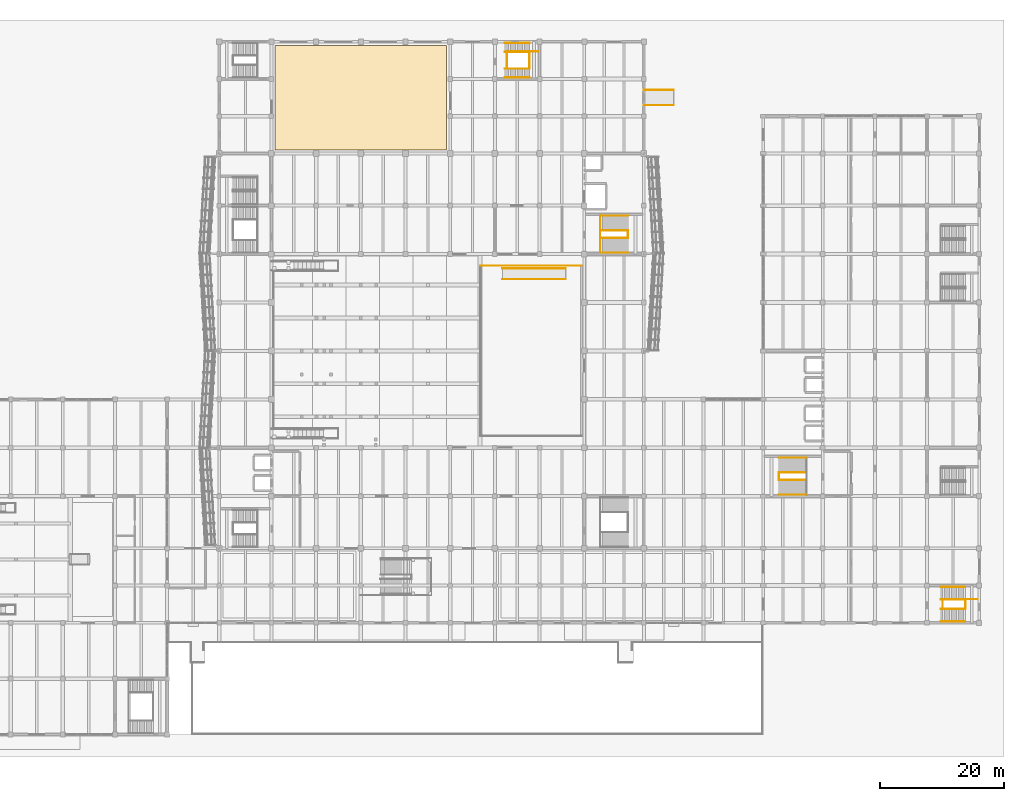
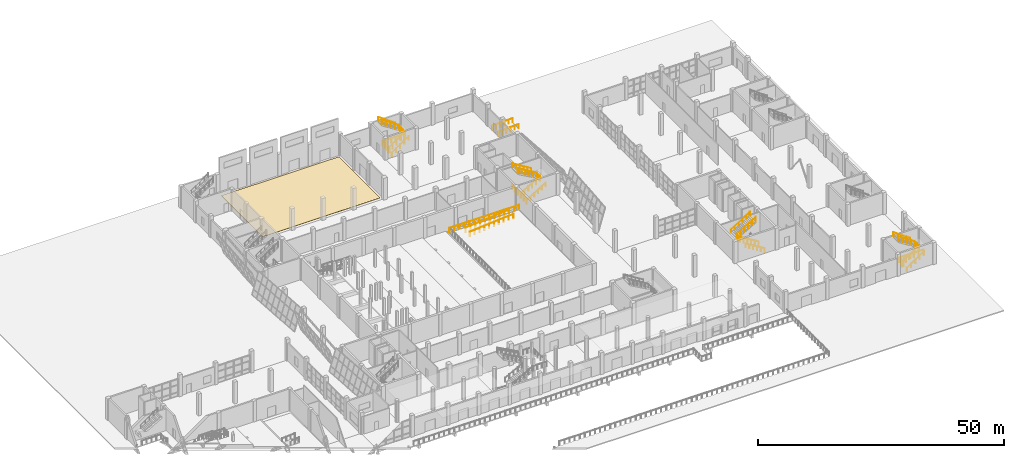
# One storey, part 76 of 78: 20 railings, 1 covering.
"""IFC4 building model written with IfcOpenShell, lengths in metres."""

from ifc_helpers import new_model, si_unit, direction, frame, origin, origin_2d, place, context, subcontext, project, spatial, polyline, circle, outline, extrude, material, layer, layer_set, type_object, element, save


model = new_model("IFC4")

# Units and contexts
model_context = context("Model", 3, precision=1e-05, world=origin(), true_north=direction((0.0, 1.0)))
body_context = subcontext(model_context, "Body", "Model", "MODEL_VIEW")
ifc_project = project(units=[si_unit("LENGTHUNIT", "METRE"), si_unit("AREAUNIT", "SQUARE_METRE"), si_unit("VOLUMEUNIT", "CUBIC_METRE"), si_unit("PLANEANGLEUNIT", "RADIAN"), si_unit("MASSUNIT", "GRAM", prefix="KILO")], contexts=[model_context])

# Site, building, storey
site_placement = place(None, origin())
site = spatial("IfcSite", under=ifc_project, at=site_placement, CompositionType="ELEMENT")
building_placement = place(site_placement, origin())
building = spatial("IfcBuilding", under=site, at=building_placement, Name="Pellamere Symphony Hall", CompositionType="ELEMENT")
storey_placement = place(building_placement, origin())
storey = spatial("IfcBuildingStorey", under=building, at=storey_placement, Name="L00", CompositionType="ELEMENT", Elevation=0.0)

# Railings
ifc_material_1 = material(Name="Architectural Bronze-Anodised Aluminium Balustrade", Category="aluminium")
railing_type_1 = type_object("IfcRailingType", Name="Balustrade BL-02 H1150 Architectural", PredefinedType="BALUSTRADE", material=ifc_material_1)
railing_1_placement = place(storey_placement, frame((92.449951171875, 75.52001953125, 0.85009765625)))
element("IfcRailing", 1, at=railing_1_placement, inside=storey, type_object=railing_type_1, Name="Stage Platform N Edge Balustrade", PredefinedType="BALUSTRADE", context=body_context, shape_type="SweptSolid", body=[
    extrude(circle(Radius=0.02392578125, at=origin_2d()), frame((0.0, 0.0, 1.1259765625), z_axis=(1.0, 0.0, 0.0), x_axis=(0.0, 1.0, 0.0)), (0.0, 0.0, 1.0), 16.300048828125),
    extrude(circle(Radius=0.02099609375, at=origin_2d()), origin(), (0.0, 0.0, 1.0), 1.101806640625),
    extrude(circle(Radius=0.02099609375, at=origin_2d()), frame((1.164306640625, 0.0, 0.0)), (0.0, 0.0, 1.0), 1.101806640625),
    extrude(circle(Radius=0.02099609375, at=origin_2d()), frame((2.32861328125, 0.0, 0.0)), (0.0, 0.0, 1.0), 1.101806640625),
    extrude(circle(Radius=0.02099609375, at=origin_2d()), frame((3.492919921875, 0.0, 0.0)), (0.0, 0.0, 1.0), 1.101806640625),
    extrude(circle(Radius=0.02099609375, at=origin_2d()), frame((4.6572265625, 0.0, 0.0)), (0.0, 0.0, 1.0), 1.101806640625),
    extrude(circle(Radius=0.02099609375, at=origin_2d()), frame((5.821533203125, 0.0, 0.0)), (0.0, 0.0, 1.0), 1.101806640625),
    extrude(circle(Radius=0.02099609375, at=origin_2d()), frame((6.98583984375, 0.0, 0.0)), (0.0, 0.0, 1.0), 1.101806640625),
    extrude(circle(Radius=0.02099609375, at=origin_2d()), frame((8.14990234375, 0.0, 0.0)), (0.0, 0.0, 1.0), 1.101806640625),
    extrude(circle(Radius=0.02099609375, at=origin_2d()), frame((9.314208984375, 0.0, 0.0)), (0.0, 0.0, 1.0), 1.101806640625),
    extrude(circle(Radius=0.02099609375, at=origin_2d()), frame((10.478515625, 0.0, 0.0)), (0.0, 0.0, 1.0), 1.101806640625),
    extrude(circle(Radius=0.02099609375, at=origin_2d()), frame((11.642822265625, 0.0, 0.0)), (0.0, 0.0, 1.0), 1.101806640625),
    extrude(circle(Radius=0.02099609375, at=origin_2d()), frame((12.80712890625, 0.0, 0.0)), (0.0, 0.0, 1.0), 1.101806640625),
    extrude(circle(Radius=0.02099609375, at=origin_2d()), frame((13.971435546875, 0.0, 0.0)), (0.0, 0.0, 1.0), 1.101806640625),
    extrude(circle(Radius=0.02099609375, at=origin_2d()), frame((15.1357421875, 0.0, 0.0)), (0.0, 0.0, 1.0), 1.101806640625),
    extrude(circle(Radius=0.02099609375, at=origin_2d()), frame((16.300048828125, 0.0, 0.0)), (0.0, 0.0, 1.0), 1.101806640625),
])
ifc_material_2 = material(Name="Painted Steel CSA G40.21 350W", Category="steel")
railing_type_2 = type_object("IfcRailingType", Name="Guardrail GR-02 H1150 Painted", PredefinedType="GUARDRAIL", material=ifc_material_2)
railing_2_placement = place(storey_placement, frame((145.02490234375, 40.989990234375, 0.0)))
element("IfcRailing", 2, at=railing_2_placement, inside=storey, type_object=railing_type_2, Name="Stair ST02-L00 Continuous Well Guardrail (L00)", PredefinedType="GUARDRAIL", context=body_context, shape_type="SweptSolid", body=[
    extrude(circle(Radius=0.02392578125, at=origin_2d()), frame((0.0, 0.0, 1.1259765625), z_axis=(-0.854941307534, 0.0, 0.518724744611), x_axis=(0.0, -1.0, 0.0)), (0.0, 0.0, 1.0), 5.205078125),
    extrude(circle(Radius=0.02392578125, at=origin_2d()), frame((-4.449951171875, 0.0, 3.82568359375), z_axis=(0.0, 1.0, 0.0), x_axis=(-1.0, 0.0, 0.0)), (0.0, 0.0, 1.0), 1.219970703125),
    extrude(circle(Radius=0.02392578125, at=origin_2d()), frame((-4.449951171875, 1.219970703125, 3.82568359375), z_axis=(0.854941307534, 0.0, 0.518724744611), x_axis=(0.0, 1.0, 0.0)), (0.0, 0.0, 1.0), 5.205078125),
    extrude(circle(Radius=0.02099609375, at=origin_2d()), origin(), (0.0, 0.0, 1.0), 1.101806640625),
    extrude(circle(Radius=0.02099609375, at=origin_2d()), frame((-0.889892578125, 0.0, 0.5400390625)), (0.0, 0.0, 1.0), 1.101806640625),
    extrude(circle(Radius=0.02099609375, at=origin_2d()), frame((-1.780029296875, 0.0, 1.080078125)), (0.0, 0.0, 1.0), 1.101806640625),
    extrude(circle(Radius=0.02099609375, at=origin_2d()), frame((-2.669921875, 0.0, 1.619873046875)), (0.0, 0.0, 1.0), 1.101806640625),
    extrude(circle(Radius=0.02099609375, at=origin_2d()), frame((-3.56005859375, 0.0, 2.159912109375)), (0.0, 0.0, 1.0), 1.101806640625),
    extrude(circle(Radius=0.02099609375, at=origin_2d()), frame((-4.449951171875, 0.0, 2.699951171875)), (0.0, 0.0, 1.0), 1.101806640625),
    extrude(circle(Radius=0.02099609375, at=origin_2d()), frame((-4.449951171875, 0.60986328125, 2.699951171875)), (0.0, 0.0, 1.0), 1.101806640625),
    extrude(circle(Radius=0.02099609375, at=origin_2d()), frame((-4.449951171875, 1.219970703125, 2.699951171875)), (0.0, 0.0, 1.0), 1.101806640625),
    extrude(circle(Radius=0.02099609375, at=origin_2d()), frame((-3.56005859375, 1.219970703125, 3.239990234375)), (0.0, 0.0, 1.0), 1.101806640625),
    extrude(circle(Radius=0.02099609375, at=origin_2d()), frame((-2.669921875, 1.219970703125, 3.780029296875)), (0.0, 0.0, 1.0), 1.101806640625),
    extrude(circle(Radius=0.02099609375, at=origin_2d()), frame((-1.780029296875, 1.219970703125, 4.31982421875)), (0.0, 0.0, 1.0), 1.101806640625),
    extrude(circle(Radius=0.02099609375, at=origin_2d()), frame((-0.889892578125, 1.219970703125, 4.85986328125)), (0.0, 0.0, 1.0), 1.101806640625),
    extrude(circle(Radius=0.02099609375, at=origin_2d()), frame((0.0, 1.219970703125, 5.39990234375)), (0.0, 0.0, 1.0), 1.101806640625),
])
railing_3_placement = place(storey_placement, frame((111.77490234375, 79.989990234375, 0.0)))
element("IfcRailing", 3, at=railing_3_placement, inside=storey, type_object=railing_type_2, Name="Stair ST04-L00 Continuous Well Guardrail (L00)", PredefinedType="GUARDRAIL", context=body_context, shape_type="SweptSolid", body=[
    extrude(circle(Radius=0.02392578125, at=origin_2d()), frame((0.0, 0.0, 1.1259765625), z_axis=(0.854953927812, 0.0, 0.518703943805), x_axis=(0.0, 1.0, 0.0)), (0.0, 0.0, 1.0), 5.205078125),
    extrude(circle(Radius=0.02392578125, at=origin_2d()), frame((4.4501953125, 0.0, 3.82568359375), z_axis=(0.0, 1.0, 0.0), x_axis=(-1.0, 0.0, 0.0)), (0.0, 0.0, 1.0), 1.219970703125),
    extrude(circle(Radius=0.02392578125, at=origin_2d()), frame((4.4501953125, 1.219970703125, 3.82568359375), z_axis=(-0.854953927812, 0.0, 0.518703943805), x_axis=(0.0, -1.0, 0.0)), (0.0, 0.0, 1.0), 5.205078125),
    extrude(circle(Radius=0.02099609375, at=origin_2d()), origin(), (0.0, 0.0, 1.0), 1.101806640625),
    extrude(circle(Radius=0.02099609375, at=origin_2d()), frame((0.89013671875, 0.0, 0.5400390625)), (0.0, 0.0, 1.0), 1.101806640625),
    extrude(circle(Radius=0.02099609375, at=origin_2d()), frame((1.780029296875, 0.0, 1.080078125)), (0.0, 0.0, 1.0), 1.101806640625),
    extrude(circle(Radius=0.02099609375, at=origin_2d()), frame((2.670166015625, 0.0, 1.619873046875)), (0.0, 0.0, 1.0), 1.101806640625),
    extrude(circle(Radius=0.02099609375, at=origin_2d()), frame((3.56005859375, 0.0, 2.159912109375)), (0.0, 0.0, 1.0), 1.101806640625),
    extrude(circle(Radius=0.02099609375, at=origin_2d()), frame((4.4501953125, 0.0, 2.699951171875)), (0.0, 0.0, 1.0), 1.101806640625),
    extrude(circle(Radius=0.02099609375, at=origin_2d()), frame((4.4501953125, 0.60986328125, 2.699951171875)), (0.0, 0.0, 1.0), 1.101806640625),
    extrude(circle(Radius=0.02099609375, at=origin_2d()), frame((4.4501953125, 1.219970703125, 2.699951171875)), (0.0, 0.0, 1.0), 1.101806640625),
    extrude(circle(Radius=0.02099609375, at=origin_2d()), frame((3.56005859375, 1.219970703125, 3.239990234375)), (0.0, 0.0, 1.0), 1.101806640625),
    extrude(circle(Radius=0.02099609375, at=origin_2d()), frame((2.670166015625, 1.219970703125, 3.780029296875)), (0.0, 0.0, 1.0), 1.101806640625),
    extrude(circle(Radius=0.02099609375, at=origin_2d()), frame((1.780029296875, 1.219970703125, 4.31982421875)), (0.0, 0.0, 1.0), 1.101806640625),
    extrude(circle(Radius=0.02099609375, at=origin_2d()), frame((0.89013671875, 1.219970703125, 4.85986328125)), (0.0, 0.0, 1.0), 1.101806640625),
    extrude(circle(Radius=0.02099609375, at=origin_2d()), frame((0.0, 1.219970703125, 5.39990234375)), (0.0, 0.0, 1.0), 1.101806640625),
])
railing_4_placement = place(storey_placement, frame((111.77490234375, 77.610107421875, 0.0)))
element("IfcRailing", 4, at=railing_4_placement, inside=storey, type_object=railing_type_2, Name="Stair ST04-L00 Landing Well Slot Guard (L00)", PredefinedType="GUARDRAIL", context=body_context, shape_type="SweptSolid", body=[
    extrude(circle(Radius=0.02392578125, at=origin_2d()), frame((0.0, 0.0, 1.1259765625), z_axis=(0.0, 1.0, 0.0), x_axis=(-1.0, 0.0, 0.0)), (0.0, 0.0, 1.0), 5.97998046875),
    extrude(circle(Radius=0.02099609375, at=origin_2d()), origin(), (0.0, 0.0, 1.0), 1.101806640625),
    extrude(circle(Radius=0.02099609375, at=origin_2d()), frame((0.0, 1.196044921875, 0.0)), (0.0, 0.0, 1.0), 1.101806640625),
    extrude(circle(Radius=0.02099609375, at=origin_2d()), frame((0.0, 2.39208984375, 0.0)), (0.0, 0.0, 1.0), 1.101806640625),
    extrude(circle(Radius=0.02099609375, at=origin_2d()), frame((0.0, 3.587890625, 0.0)), (0.0, 0.0, 1.0), 1.101806640625),
    extrude(circle(Radius=0.02099609375, at=origin_2d()), frame((0.0, 4.783935546875, 0.0)), (0.0, 0.0, 1.0), 1.101806640625),
    extrude(circle(Radius=0.02099609375, at=origin_2d()), frame((0.0, 5.97998046875, 0.0)), (0.0, 0.0, 1.0), 1.101806640625),
])
railing_5_placement = place(storey_placement, frame((96.425048828125, 107.239990234375, 0.0)))
element("IfcRailing", 5, at=railing_5_placement, inside=storey, type_object=railing_type_2, Name="Stair ST11-L00 Continuous Well Guardrail (L00)", PredefinedType="GUARDRAIL", context=body_context, shape_type="SweptSolid", body=[
    extrude(circle(Radius=0.02392578125, at=origin_2d()), frame((0.0, 0.0, 1.1259765625), z_axis=(0.825565005729, 0.0, 0.564307027527), x_axis=(0.0, 1.0, 0.0)), (0.0, 0.0, 1.0), 4.784423828125),
    extrude(circle(Radius=0.02392578125, at=origin_2d()), frame((3.949951171875, 0.0, 3.82568359375), z_axis=(0.0, 1.0, 0.0), x_axis=(-1.0, 0.0, 0.0)), (0.0, 0.0, 1.0), 2.719970703125),
    extrude(circle(Radius=0.02392578125, at=origin_2d()), frame((3.949951171875, 2.719970703125, 3.82568359375), z_axis=(-0.825565005729, 0.0, 0.564307027527), x_axis=(0.0, -1.0, 0.0)), (0.0, 0.0, 1.0), 4.784423828125),
    extrude(circle(Radius=0.02099609375, at=origin_2d()), origin(), (0.0, 0.0, 1.0), 1.101806640625),
    extrude(circle(Radius=0.02099609375, at=origin_2d()), frame((0.987548828125, 0.0, 0.675048828125)), (0.0, 0.0, 1.0), 1.101806640625),
    extrude(circle(Radius=0.02099609375, at=origin_2d()), frame((1.97509765625, 0.0, 1.35009765625)), (0.0, 0.0, 1.0), 1.101806640625),
    extrude(circle(Radius=0.02099609375, at=origin_2d()), frame((2.96240234375, 0.0, 2.02490234375)), (0.0, 0.0, 1.0), 1.101806640625),
    extrude(circle(Radius=0.02099609375, at=origin_2d()), frame((3.949951171875, 0.0, 2.699951171875)), (0.0, 0.0, 1.0), 1.101806640625),
    extrude(circle(Radius=0.02099609375, at=origin_2d()), frame((3.949951171875, 0.90673828125, 2.699951171875)), (0.0, 0.0, 1.0), 1.101806640625),
    extrude(circle(Radius=0.02099609375, at=origin_2d()), frame((3.949951171875, 1.813232421875, 2.699951171875)), (0.0, 0.0, 1.0), 1.101806640625),
    extrude(circle(Radius=0.02099609375, at=origin_2d()), frame((3.949951171875, 2.719970703125, 2.699951171875)), (0.0, 0.0, 1.0), 1.101806640625),
    extrude(circle(Radius=0.02099609375, at=origin_2d()), frame((2.96240234375, 2.719970703125, 3.375)), (0.0, 0.0, 1.0), 1.101806640625),
    extrude(circle(Radius=0.02099609375, at=origin_2d()), frame((1.97509765625, 2.719970703125, 4.0498046875)), (0.0, 0.0, 1.0), 1.101806640625),
    extrude(circle(Radius=0.02099609375, at=origin_2d()), frame((0.987548828125, 2.719970703125, 4.724853515625)), (0.0, 0.0, 1.0), 1.101806640625),
    extrude(circle(Radius=0.02099609375, at=origin_2d()), frame((0.0, 2.719970703125, 5.39990234375)), (0.0, 0.0, 1.0), 1.101806640625),
])
railing_6_placement = place(storey_placement, frame((96.72509765625, 107.239990234375, 0.0)))
element("IfcRailing", 6, at=railing_6_placement, inside=storey, type_object=railing_type_2, Name="Stair ST11-L00 Landing Well Slot Guard (L00)", PredefinedType="GUARDRAIL", context=body_context, shape_type="SweptSolid", body=[
    extrude(circle(Radius=0.02392578125, at=origin_2d()), frame((0.0, 0.0, 1.1259765625), z_axis=(0.0, 1.0, 0.0), x_axis=(-1.0, 0.0, 0.0)), (0.0, 0.0, 1.0), 2.77001953125),
    extrude(circle(Radius=0.02392578125, at=origin_2d()), frame((0.0, 2.77001953125, 1.1259765625), z_axis=(1.0, 0.0, 0.0), x_axis=(0.0, 1.0, 0.0)), (0.0, 0.0, 1.0), 5.06494140625),
    extrude(circle(Radius=0.02099609375, at=origin_2d()), origin(), (0.0, 0.0, 1.0), 1.101806640625),
    extrude(circle(Radius=0.02099609375, at=origin_2d()), frame((0.0, 0.92333984375, 0.0)), (0.0, 0.0, 1.0), 1.101806640625),
    extrude(circle(Radius=0.02099609375, at=origin_2d()), frame((0.0, 1.8466796875, 0.0)), (0.0, 0.0, 1.0), 1.101806640625),
    extrude(circle(Radius=0.02099609375, at=origin_2d()), frame((0.0, 2.77001953125, 0.0)), (0.0, 0.0, 1.0), 1.101806640625),
    extrude(circle(Radius=0.02099609375, at=origin_2d()), frame((1.012939453125, 2.77001953125, 0.0)), (0.0, 0.0, 1.0), 1.101806640625),
    extrude(circle(Radius=0.02099609375, at=origin_2d()), frame((2.02587890625, 2.77001953125, 0.0)), (0.0, 0.0, 1.0), 1.101806640625),
    extrude(circle(Radius=0.02099609375, at=origin_2d()), frame((3.0390625, 2.77001953125, 0.0)), (0.0, 0.0, 1.0), 1.101806640625),
    extrude(circle(Radius=0.02099609375, at=origin_2d()), frame((4.052001953125, 2.77001953125, 0.0)), (0.0, 0.0, 1.0), 1.101806640625),
    extrude(circle(Radius=0.02099609375, at=origin_2d()), frame((5.06494140625, 2.77001953125, 0.0)), (0.0, 0.0, 1.0), 1.101806640625),
])
railing_7_placement = place(storey_placement, frame((166.625, 20.239990234375, 0.0)))
element("IfcRailing", 7, at=railing_7_placement, inside=storey, type_object=railing_type_2, Name="Stair ST12-L00 Continuous Well Guardrail (L00)", PredefinedType="GUARDRAIL", context=body_context, shape_type="SweptSolid", body=[
    extrude(circle(Radius=0.02392578125, at=origin_2d()), frame((0.0, 0.0, 1.1259765625), z_axis=(0.825565005729, 0.0, 0.564307027527), x_axis=(0.0, 1.0, 0.0)), (0.0, 0.0, 1.0), 4.784423828125),
    extrude(circle(Radius=0.02392578125, at=origin_2d()), frame((3.949951171875, 0.0, 3.82568359375), z_axis=(0.0, 1.0, 0.0), x_axis=(-1.0, 0.0, 0.0)), (0.0, 0.0, 1.0), 1.52001953125),
    extrude(circle(Radius=0.02392578125, at=origin_2d()), frame((3.949951171875, 1.52001953125, 3.82568359375), z_axis=(-0.825565005729, 0.0, 0.564307027527), x_axis=(0.0, -1.0, 0.0)), (0.0, 0.0, 1.0), 4.784423828125),
    extrude(circle(Radius=0.02099609375, at=origin_2d()), origin(), (0.0, 0.0, 1.0), 1.101806640625),
    extrude(circle(Radius=0.02099609375, at=origin_2d()), frame((0.987548828125, 0.0, 0.675048828125)), (0.0, 0.0, 1.0), 1.101806640625),
    extrude(circle(Radius=0.02099609375, at=origin_2d()), frame((1.97509765625, 0.0, 1.35009765625)), (0.0, 0.0, 1.0), 1.101806640625),
    extrude(circle(Radius=0.02099609375, at=origin_2d()), frame((2.96240234375, 0.0, 2.02490234375)), (0.0, 0.0, 1.0), 1.101806640625),
    extrude(circle(Radius=0.02099609375, at=origin_2d()), frame((3.949951171875, 0.0, 2.699951171875)), (0.0, 0.0, 1.0), 1.101806640625),
    extrude(circle(Radius=0.02099609375, at=origin_2d()), frame((3.949951171875, 0.760009765625, 2.699951171875)), (0.0, 0.0, 1.0), 1.101806640625),
    extrude(circle(Radius=0.02099609375, at=origin_2d()), frame((3.949951171875, 1.52001953125, 2.699951171875)), (0.0, 0.0, 1.0), 1.101806640625),
    extrude(circle(Radius=0.02099609375, at=origin_2d()), frame((2.96240234375, 1.52001953125, 3.375)), (0.0, 0.0, 1.0), 1.101806640625),
    extrude(circle(Radius=0.02099609375, at=origin_2d()), frame((1.97509765625, 1.52001953125, 4.0498046875)), (0.0, 0.0, 1.0), 1.101806640625),
    extrude(circle(Radius=0.02099609375, at=origin_2d()), frame((0.987548828125, 1.52001953125, 4.724853515625)), (0.0, 0.0, 1.0), 1.101806640625),
    extrude(circle(Radius=0.02099609375, at=origin_2d()), frame((0.0, 1.52001953125, 5.39990234375)), (0.0, 0.0, 1.0), 1.101806640625),
])
railing_8_placement = place(storey_placement, frame((166.925048828125, 20.239990234375, 0.0)))
element("IfcRailing", 8, at=railing_8_placement, inside=storey, type_object=railing_type_2, Name="Stair ST12-L00 Landing Well Slot Guard (L00)", PredefinedType="GUARDRAIL", context=body_context, shape_type="SweptSolid", body=[
    extrude(circle(Radius=0.02392578125, at=origin_2d()), frame((0.0, 0.0, 1.1259765625), z_axis=(0.0, 1.0, 0.0), x_axis=(-1.0, 0.0, 0.0)), (0.0, 0.0, 1.0), 1.570068359375),
    extrude(circle(Radius=0.02392578125, at=origin_2d()), frame((0.0, 1.570068359375, 1.1259765625), z_axis=(1.0, 0.0, 0.0), x_axis=(0.0, 1.0, 0.0)), (0.0, 0.0, 1.0), 5.6650390625),
    extrude(circle(Radius=0.02099609375, at=origin_2d()), origin(), (0.0, 0.0, 1.0), 1.101806640625),
    extrude(circle(Radius=0.02099609375, at=origin_2d()), frame((0.0, 0.78515625, 0.0)), (0.0, 0.0, 1.0), 1.101806640625),
    extrude(circle(Radius=0.02099609375, at=origin_2d()), frame((0.0, 1.570068359375, 0.0)), (0.0, 0.0, 1.0), 1.101806640625),
    extrude(circle(Radius=0.02099609375, at=origin_2d()), frame((1.133056640625, 1.570068359375, 0.0)), (0.0, 0.0, 1.0), 1.101806640625),
    extrude(circle(Radius=0.02099609375, at=origin_2d()), frame((2.26611328125, 1.570068359375, 0.0)), (0.0, 0.0, 1.0), 1.101806640625),
    extrude(circle(Radius=0.02099609375, at=origin_2d()), frame((3.39892578125, 1.570068359375, 0.0)), (0.0, 0.0, 1.0), 1.101806640625),
    extrude(circle(Radius=0.02099609375, at=origin_2d()), frame((4.531982421875, 1.570068359375, 0.0)), (0.0, 0.0, 1.0), 1.101806640625),
    extrude(circle(Radius=0.02099609375, at=origin_2d()), frame((5.6650390625, 1.570068359375, 0.0)), (0.0, 0.0, 1.0), 1.101806640625),
])
for number, where, name in (
    (9, (96.0, 73.35009765625, 0.0), "Accessible Orchestra Stage Ramp Handrail A"),
    (10, (96.0, 75.050048828125, 0.0), "Accessible Orchestra Stage Ramp Handrail B"),
):
    element("IfcRailing", number, at=place(storey_placement, frame(where)), inside=storey, type_object=railing_type_2, Name=name, PredefinedType="GUARDRAIL", context=body_context, shape_type="SweptSolid", body=[
        extrude(circle(Radius=0.02392578125, at=origin_2d()), frame((0.0, 0.0, 1.1259765625), z_axis=(0.996544935687, 0.0, 0.083055349962), x_axis=(0.0, 1.0, 0.0)), (0.0, 0.0, 1.0), 10.2353515625),
        extrude(circle(Radius=0.02099609375, at=origin_2d()), origin(), (0.0, 0.0, 1.0), 1.101806640625),
        extrude(circle(Radius=0.02099609375, at=origin_2d()), frame((1.13330078125, 0.0, 0.094482421875)), (0.0, 0.0, 1.0), 1.101806640625),
        extrude(circle(Radius=0.02099609375, at=origin_2d()), frame((2.2666015625, 0.0, 0.18896484375)), (0.0, 0.0, 1.0), 1.101806640625),
        extrude(circle(Radius=0.02099609375, at=origin_2d()), frame((3.39990234375, 0.0, 0.283447265625)), (0.0, 0.0, 1.0), 1.101806640625),
        extrude(circle(Radius=0.02099609375, at=origin_2d()), frame((4.533203125, 0.0, 0.3779296875)), (0.0, 0.0, 1.0), 1.101806640625),
        extrude(circle(Radius=0.02099609375, at=origin_2d()), frame((5.666748046875, 0.0, 0.47216796875)), (0.0, 0.0, 1.0), 1.101806640625),
        extrude(circle(Radius=0.02099609375, at=origin_2d()), frame((6.800048828125, 0.0, 0.566650390625)), (0.0, 0.0, 1.0), 1.101806640625),
        extrude(circle(Radius=0.02099609375, at=origin_2d()), frame((7.933349609375, 0.0, 0.6611328125)), (0.0, 0.0, 1.0), 1.101806640625),
        extrude(circle(Radius=0.02099609375, at=origin_2d()), frame((9.066650390625, 0.0, 0.755615234375)), (0.0, 0.0, 1.0), 1.101806640625),
        extrude(circle(Radius=0.02099609375, at=origin_2d()), frame((10.199951171875, 0.0, 0.85009765625)), (0.0, 0.0, 1.0), 1.101806640625),
    ])
for number, where, name in (
    (11, (118.800048828125, 101.375, -0.199951171875), "Acoustic Stage Equipment Access Ramp Handrail A"),
    (12, (118.800048828125, 103.824951171875, -0.199951171875), "Acoustic Stage Equipment Access Ramp Handrail B"),
):
    element("IfcRailing", number, at=place(storey_placement, frame(where)), inside=storey, type_object=railing_type_2, Name=name, PredefinedType="GUARDRAIL", context=body_context, shape_type="SweptSolid", body=[
        extrude(circle(Radius=0.02392578125, at=origin_2d()), frame((0.0, 0.0, 1.1259765625), z_axis=(0.999133513401, 0.0, 0.041619975966), x_axis=(0.0, 1.0, 0.0)), (0.0, 0.0, 1.0), 4.80419921875),
        extrude(circle(Radius=0.02099609375, at=origin_2d()), origin(), (0.0, 0.0, 1.0), 1.101806640625),
        extrude(circle(Radius=0.02099609375, at=origin_2d()), frame((0.9599609375, 0.0, 0.0400390625)), (0.0, 0.0, 1.0), 1.101806640625),
        extrude(circle(Radius=0.02099609375, at=origin_2d()), frame((1.919921875, 0.0, 0.080078125)), (0.0, 0.0, 1.0), 1.101806640625),
        extrude(circle(Radius=0.02099609375, at=origin_2d()), frame((2.880126953125, 0.0, 0.119873046875)), (0.0, 0.0, 1.0), 1.101806640625),
        extrude(circle(Radius=0.02099609375, at=origin_2d()), frame((3.840087890625, 0.0, 0.159912109375)), (0.0, 0.0, 1.0), 1.101806640625),
        extrude(circle(Radius=0.02099609375, at=origin_2d()), frame((4.800048828125, 0.0, 0.199951171875)), (0.0, 0.0, 1.0), 1.101806640625),
    ])
ifc_material_3 = material(Name="Stainless Steel AISI 316", Category="steel")
railing_type_3 = type_object("IfcRailingType", Name="Handrail HR-01 H920 Stainless", PredefinedType="HANDRAIL", material=ifc_material_3)
railing_9_placement = place(storey_placement, frame((145.02490234375, 38.6201171875, 0.0)))
element("IfcRailing", 13, at=railing_9_placement, inside=storey, type_object=railing_type_3, Name="Stair ST02-L00 Lower Wall Handrail (L00)", PredefinedType="HANDRAIL", context=body_context, shape_type="SweptSolid", body=[
    extrude(circle(Radius=0.02392578125, at=origin_2d()), frame((0.0, 0.0, 0.89599609375), z_axis=(-0.854941307534, 0.0, 0.518724744611), x_axis=(0.0, -1.0, 0.0)), (0.0, 0.0, 1.0), 5.205078125),
    extrude(circle(Radius=0.02099609375, at=origin_2d()), origin(), (0.0, 0.0, 1.0), 0.871826171875),
    extrude(circle(Radius=0.02099609375, at=origin_2d()), frame((-0.889892578125, 0.0, 0.5400390625)), (0.0, 0.0, 1.0), 0.871826171875),
    extrude(circle(Radius=0.02099609375, at=origin_2d()), frame((-1.780029296875, 0.0, 1.080078125)), (0.0, 0.0, 1.0), 0.871826171875),
    extrude(circle(Radius=0.02099609375, at=origin_2d()), frame((-2.669921875, 0.0, 1.619873046875)), (0.0, 0.0, 1.0), 0.871826171875),
    extrude(circle(Radius=0.02099609375, at=origin_2d()), frame((-3.56005859375, 0.0, 2.159912109375)), (0.0, 0.0, 1.0), 0.871826171875),
    extrude(circle(Radius=0.02099609375, at=origin_2d()), frame((-4.449951171875, 0.0, 2.699951171875)), (0.0, 0.0, 1.0), 0.871826171875),
])
railing_10_placement = place(storey_placement, frame((140.574951171875, 44.580078125, 2.699951171875)))
element("IfcRailing", 14, at=railing_10_placement, inside=storey, type_object=railing_type_3, Name="Stair ST02-L00 Upper Wall Handrail (L00)", PredefinedType="HANDRAIL", context=body_context, shape_type="SweptSolid", body=[
    extrude(circle(Radius=0.02392578125, at=origin_2d()), frame((0.0, 0.0, 0.89599609375), z_axis=(0.854941307534, 0.0, 0.518724744611), x_axis=(0.0, 1.0, 0.0)), (0.0, 0.0, 1.0), 5.205078125),
    extrude(circle(Radius=0.02099609375, at=origin_2d()), origin(), (0.0, 0.0, 1.0), 0.871826171875),
    extrude(circle(Radius=0.02099609375, at=origin_2d()), frame((0.889892578125, 0.0, 0.5400390625)), (0.0, 0.0, 1.0), 0.871826171875),
    extrude(circle(Radius=0.02099609375, at=origin_2d()), frame((1.780029296875, 0.0, 1.080078125)), (0.0, 0.0, 1.0), 0.871826171875),
    extrude(circle(Radius=0.02099609375, at=origin_2d()), frame((2.669921875, 0.0, 1.619873046875)), (0.0, 0.0, 1.0), 0.871826171875),
    extrude(circle(Radius=0.02099609375, at=origin_2d()), frame((3.56005859375, 0.0, 2.159912109375)), (0.0, 0.0, 1.0), 0.871826171875),
    extrude(circle(Radius=0.02099609375, at=origin_2d()), frame((4.449951171875, 0.0, 2.699951171875)), (0.0, 0.0, 1.0), 0.871826171875),
])
railing_11_placement = place(storey_placement, frame((111.77490234375, 77.6201171875, 0.0)))
element("IfcRailing", 15, at=railing_11_placement, inside=storey, type_object=railing_type_3, Name="Stair ST04-L00 Lower Wall Handrail (L00)", PredefinedType="HANDRAIL", context=body_context, shape_type="SweptSolid", body=[
    extrude(circle(Radius=0.02392578125, at=origin_2d()), frame((0.0, 0.0, 0.89599609375), z_axis=(0.854953927812, 0.0, 0.518703943805), x_axis=(0.0, 1.0, 0.0)), (0.0, 0.0, 1.0), 5.205078125),
    extrude(circle(Radius=0.02099609375, at=origin_2d()), origin(), (0.0, 0.0, 1.0), 0.871826171875),
    extrude(circle(Radius=0.02099609375, at=origin_2d()), frame((0.89013671875, 0.0, 0.5400390625)), (0.0, 0.0, 1.0), 0.871826171875),
    extrude(circle(Radius=0.02099609375, at=origin_2d()), frame((1.780029296875, 0.0, 1.080078125)), (0.0, 0.0, 1.0), 0.871826171875),
    extrude(circle(Radius=0.02099609375, at=origin_2d()), frame((2.670166015625, 0.0, 1.619873046875)), (0.0, 0.0, 1.0), 0.871826171875),
    extrude(circle(Radius=0.02099609375, at=origin_2d()), frame((3.56005859375, 0.0, 2.159912109375)), (0.0, 0.0, 1.0), 0.871826171875),
    extrude(circle(Radius=0.02099609375, at=origin_2d()), frame((4.4501953125, 0.0, 2.699951171875)), (0.0, 0.0, 1.0), 0.871826171875),
])
railing_12_placement = place(storey_placement, frame((116.22509765625, 83.580078125, 2.699951171875)))
element("IfcRailing", 16, at=railing_12_placement, inside=storey, type_object=railing_type_3, Name="Stair ST04-L00 Upper Wall Handrail (L00)", PredefinedType="HANDRAIL", context=body_context, shape_type="SweptSolid", body=[
    extrude(circle(Radius=0.02392578125, at=origin_2d()), frame((0.0, 0.0, 0.89599609375), z_axis=(-0.854953927812, 0.0, 0.518703943805), x_axis=(0.0, -1.0, 0.0)), (0.0, 0.0, 1.0), 5.205078125),
    extrude(circle(Radius=0.02099609375, at=origin_2d()), origin(), (0.0, 0.0, 1.0), 0.871826171875),
    extrude(circle(Radius=0.02099609375, at=origin_2d()), frame((-0.89013671875, 0.0, 0.5400390625)), (0.0, 0.0, 1.0), 0.871826171875),
    extrude(circle(Radius=0.02099609375, at=origin_2d()), frame((-1.780029296875, 0.0, 1.080078125)), (0.0, 0.0, 1.0), 0.871826171875),
    extrude(circle(Radius=0.02099609375, at=origin_2d()), frame((-2.670166015625, 0.0, 1.619873046875)), (0.0, 0.0, 1.0), 0.871826171875),
    extrude(circle(Radius=0.02099609375, at=origin_2d()), frame((-3.56005859375, 0.0, 2.159912109375)), (0.0, 0.0, 1.0), 0.871826171875),
    extrude(circle(Radius=0.02099609375, at=origin_2d()), frame((-4.4501953125, 0.0, 2.699951171875)), (0.0, 0.0, 1.0), 0.871826171875),
])
railing_13_placement = place(storey_placement, frame((96.425048828125, 105.820068359375, 0.0)))
element("IfcRailing", 17, at=railing_13_placement, inside=storey, type_object=railing_type_3, Name="Stair ST11-L00 Lower Wall Handrail (L00)", PredefinedType="HANDRAIL", context=body_context, shape_type="SweptSolid", body=[
    extrude(circle(Radius=0.02392578125, at=origin_2d()), frame((0.0, 0.0, 0.89599609375), z_axis=(0.825565005729, 0.0, 0.564307027527), x_axis=(0.0, 1.0, 0.0)), (0.0, 0.0, 1.0), 4.784423828125),
    extrude(circle(Radius=0.02099609375, at=origin_2d()), origin(), (0.0, 0.0, 1.0), 0.871826171875),
    extrude(circle(Radius=0.02099609375, at=origin_2d()), frame((0.987548828125, 0.0, 0.675048828125)), (0.0, 0.0, 1.0), 0.871826171875),
    extrude(circle(Radius=0.02099609375, at=origin_2d()), frame((1.97509765625, 0.0, 1.35009765625)), (0.0, 0.0, 1.0), 0.871826171875),
    extrude(circle(Radius=0.02099609375, at=origin_2d()), frame((2.96240234375, 0.0, 2.02490234375)), (0.0, 0.0, 1.0), 0.871826171875),
    extrude(circle(Radius=0.02099609375, at=origin_2d()), frame((3.949951171875, 0.0, 2.699951171875)), (0.0, 0.0, 1.0), 0.871826171875),
])
railing_14_placement = place(storey_placement, frame((100.375, 111.3798828125, 2.699951171875)))
element("IfcRailing", 18, at=railing_14_placement, inside=storey, type_object=railing_type_3, Name="Stair ST11-L00 Upper Wall Handrail (L00)", PredefinedType="HANDRAIL", context=body_context, shape_type="SweptSolid", body=[
    extrude(circle(Radius=0.02392578125, at=origin_2d()), frame((0.0, 0.0, 0.89599609375), z_axis=(-0.825565005729, 0.0, 0.564307027527), x_axis=(0.0, -1.0, 0.0)), (0.0, 0.0, 1.0), 4.784423828125),
    extrude(circle(Radius=0.02099609375, at=origin_2d()), origin(), (0.0, 0.0, 1.0), 0.871826171875),
    extrude(circle(Radius=0.02099609375, at=origin_2d()), frame((-0.987548828125, 0.0, 0.675048828125)), (0.0, 0.0, 1.0), 0.871826171875),
    extrude(circle(Radius=0.02099609375, at=origin_2d()), frame((-1.97509765625, 0.0, 1.35009765625)), (0.0, 0.0, 1.0), 0.871826171875),
    extrude(circle(Radius=0.02099609375, at=origin_2d()), frame((-2.96240234375, 0.0, 2.02490234375)), (0.0, 0.0, 1.0), 0.871826171875),
    extrude(circle(Radius=0.02099609375, at=origin_2d()), frame((-3.949951171875, 0.0, 2.699951171875)), (0.0, 0.0, 1.0), 0.871826171875),
])
railing_15_placement = place(storey_placement, frame((166.625, 18.219970703125, 0.0)))
element("IfcRailing", 19, at=railing_15_placement, inside=storey, type_object=railing_type_3, Name="Stair ST12-L00 Lower Wall Handrail (L00)", PredefinedType="HANDRAIL", context=body_context, shape_type="SweptSolid", body=[
    extrude(circle(Radius=0.02392578125, at=origin_2d()), frame((0.0, 0.0, 0.89599609375), z_axis=(0.825565005729, 0.0, 0.564307027527), x_axis=(0.0, 1.0, 0.0)), (0.0, 0.0, 1.0), 4.784423828125),
    extrude(circle(Radius=0.02099609375, at=origin_2d()), origin(), (0.0, 0.0, 1.0), 0.871826171875),
    extrude(circle(Radius=0.02099609375, at=origin_2d()), frame((0.987548828125, 0.0, 0.675048828125)), (0.0, 0.0, 1.0), 0.871826171875),
    extrude(circle(Radius=0.02099609375, at=origin_2d()), frame((1.97509765625, 0.0, 1.35009765625)), (0.0, 0.0, 1.0), 0.871826171875),
    extrude(circle(Radius=0.02099609375, at=origin_2d()), frame((2.96240234375, 0.0, 2.02490234375)), (0.0, 0.0, 1.0), 0.871826171875),
    extrude(circle(Radius=0.02099609375, at=origin_2d()), frame((3.949951171875, 0.0, 2.699951171875)), (0.0, 0.0, 1.0), 0.871826171875),
])
railing_16_placement = place(storey_placement, frame((170.574951171875, 23.780029296875, 2.699951171875)))
element("IfcRailing", 20, at=railing_16_placement, inside=storey, type_object=railing_type_3, Name="Stair ST12-L00 Upper Wall Handrail (L00)", PredefinedType="HANDRAIL", context=body_context, shape_type="SweptSolid", body=[
    extrude(circle(Radius=0.02392578125, at=origin_2d()), frame((0.0, 0.0, 0.89599609375), z_axis=(-0.825565005729, 0.0, 0.564307027527), x_axis=(0.0, -1.0, 0.0)), (0.0, 0.0, 1.0), 4.784423828125),
    extrude(circle(Radius=0.02099609375, at=origin_2d()), origin(), (0.0, 0.0, 1.0), 0.871826171875),
    extrude(circle(Radius=0.02099609375, at=origin_2d()), frame((-0.987548828125, 0.0, 0.675048828125)), (0.0, 0.0, 1.0), 0.871826171875),
    extrude(circle(Radius=0.02099609375, at=origin_2d()), frame((-1.97509765625, 0.0, 1.35009765625)), (0.0, 0.0, 1.0), 0.871826171875),
    extrude(circle(Radius=0.02099609375, at=origin_2d()), frame((-2.96240234375, 0.0, 2.02490234375)), (0.0, 0.0, 1.0), 0.871826171875),
    extrude(circle(Radius=0.02099609375, at=origin_2d()), frame((-3.949951171875, 0.0, 2.699951171875)), (0.0, 0.0, 1.0), 0.871826171875),
])

# Covering
ifc_material_4 = material(Name="Quarter-Sawn Canadian Maple Sprung Stage Flooring", Category="wood")
ifc_layer = layer(ifc_material_4, 0.044921875, Name="Quarter-Sawn Canadian Maple Sprung Stage Flooring")
ifc_layer_set = layer_set([ifc_layer], Name="Quarter-Sawn Canadian Maple Sprung Stage Flooring")
covering_type = type_object("IfcCoveringType", Name="Interior Covering FL-01 45mm", PredefinedType="FLOORING", material=ifc_layer_set)
covering_placement = place(storey_placement, origin())
element("IfcCovering", 21, at=covering_placement, inside=storey, type_object=covering_type, Name="Orchestra Rehearsal Sprung Maple Floor", PredefinedType="FLOORING", context=body_context, shape_type="SweptSolid", body=[
    extrude(outline(polyline([(59.39990234375, 94.199951171875), (87.0, 94.199951171875), (87.0, 111.0), (59.39990234375, 111.0), (59.39990234375, 94.199951171875)])), origin(), (0.0, 0.0, 1.0), 0.044921875),
])

save(model, "model.ifc")
